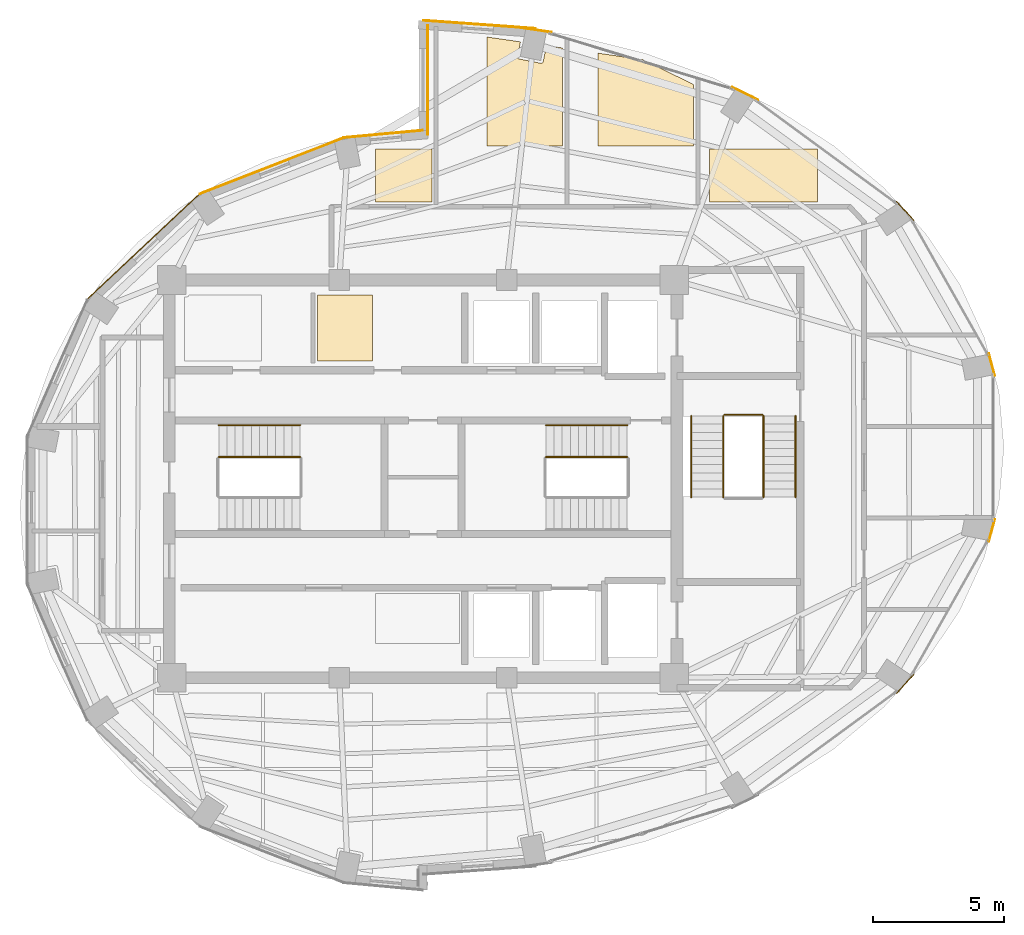
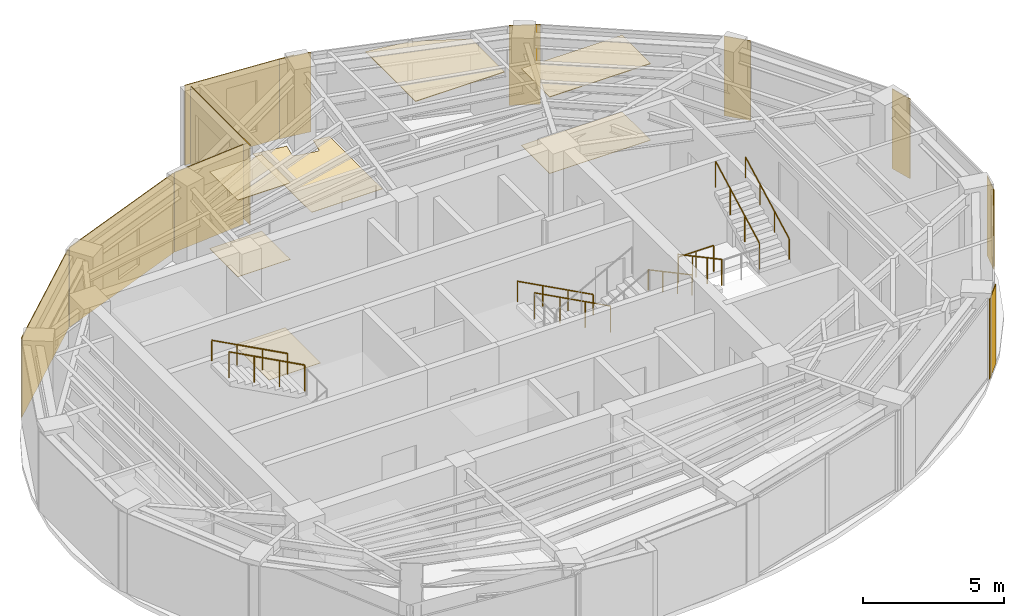
# One storey, part 13 of 13: 18 coverings, 9 railings.
"""IFC4 building model written with IfcOpenShell, lengths in metres."""

from ifc_helpers import new_model, si_unit, direction, frame, origin, origin_2d, place, context, subcontext, project, spatial, polyline, rectangle, circle, outline, extrude, material, layer, layer_set, type_object, element, save


model = new_model("IFC4")

# Units and contexts
model_context = context("Model", 3, precision=1e-05, world=origin(), true_north=direction((0.0, 1.0)))
body_context = subcontext(model_context, "Body", "Model", "MODEL_VIEW")
ifc_project = project(units=[si_unit("LENGTHUNIT", "METRE"), si_unit("AREAUNIT", "SQUARE_METRE"), si_unit("VOLUMEUNIT", "CUBIC_METRE"), si_unit("PLANEANGLEUNIT", "RADIAN"), si_unit("MASSUNIT", "GRAM", prefix="KILO")], contexts=[model_context])

# Site, building, storey
site_placement = place(None, origin())
site = spatial("IfcSite", under=ifc_project, at=site_placement, CompositionType="ELEMENT")
building_placement = place(site_placement, origin())
building = spatial("IfcBuilding", under=site, at=building_placement, Name="Lazwardi Medical Tower", CompositionType="ELEMENT")
storey_placement = place(building_placement, frame((0.0, 0.0, 273.263916015625)))
storey = spatial("IfcBuildingStorey", under=building, at=storey_placement, Name="L71", CompositionType="ELEMENT", Elevation=273.263916015625)

# Coverings
ifc_material_1 = material(Name="Anodised bronze aluminium cassette cladding", Category="aluminium")
ifc_layer_1 = layer(ifc_material_1, 0.030029296875)
ifc_layer_set_1 = layer_set([ifc_layer_1], Name="Anodised bronze aluminium cassette cladding")
covering_type_1 = type_object("IfcCoveringType", Name="COV-CLD-BRZ", PredefinedType="CLADDING", material=ifc_layer_set_1)
covering_1_placement = place(storey_placement, frame((54.42529296875, 20.165283203125, 0.0), z_axis=(0.0, 0.0, 1.0), x_axis=(0.673240970654, 0.739423150458, 0.0)))
element("IfcCovering", 1, at=covering_1_placement, inside=storey, type_object=covering_type_1, Name="L71 Mega-column bronze cassette cover M03", PredefinedType="CLADDING", context=body_context, shape_type="SweptSolid", body=[
    extrude(rectangle(XDim=0.98974609375, YDim=0.030029296875, at=origin_2d()), origin(), (0.0, 0.0, 1.0), 3.447998046875),
])
for number, where, z_axis, x_axis, name in (
    (2, (57.734130859375, 26.02734375, 0.0), (0.0, 0.0, 1.0), (0.261641748247, 0.96516506131, 0.0), "L71 Mega-column bronze cassette cover M04"),
    (3, (57.734130859375, 32.37255859375, 0.0), (0.0, 0.0, 1.0), (-0.261641748247, 0.96516506131, 0.0), "L71 Mega-column bronze cassette cover M05"),
):
    element("IfcCovering", number, at=place(storey_placement, frame(where, z_axis=z_axis, x_axis=x_axis)), inside=storey, type_object=covering_type_1, Name=name, PredefinedType="CLADDING", context=body_context, shape_type="SweptSolid", body=[
        extrude(rectangle(XDim=0.894287109375, YDim=0.030029296875, at=origin_2d()), origin(), (0.0, 0.0, 1.0), 3.447998046875),
    ])
covering_2_placement = place(storey_placement, frame((54.42529296875, 38.234619140625, 0.0), z_axis=(0.0, 0.0, 1.0), x_axis=(-0.673240970654, 0.739423150458, 0.0)))
element("IfcCovering", 4, at=covering_2_placement, inside=storey, type_object=covering_type_1, Name="L71 Mega-column bronze cassette cover M06", PredefinedType="CLADDING", context=body_context, shape_type="SweptSolid", body=[
    extrude(rectangle(XDim=0.98974609375, YDim=0.030029296875, at=origin_2d()), origin(), (0.0, 0.0, 1.0), 3.447998046875),
])
covering_3_placement = place(storey_placement, frame((48.311279296875, 42.721435546875, 0.0), z_axis=(0.0, 0.0, 1.0), x_axis=(-0.897840141691, 0.440321564278, 0.0)))
element("IfcCovering", 5, at=covering_3_placement, inside=storey, type_object=covering_type_1, Name="L71 Mega-column bronze cassette cover M07", PredefinedType="CLADDING", context=body_context, shape_type="SweptSolid", body=[
    extrude(rectangle(XDim=1.110595703125, YDim=0.030029296875, at=origin_2d()), origin(), (0.0, 0.0, 1.0), 3.447998046875),
])
covering_4_placement = place(storey_placement, frame((40.3232421875, 45.1494140625, 0.0), z_axis=(0.0, 0.0, 1.0), x_axis=(-0.989512431533, 0.144447733943, 0.0)))
element("IfcCovering", 6, at=covering_4_placement, inside=storey, type_object=covering_type_1, Name="L71 Mega-column bronze cassette cover M08", PredefinedType="CLADDING", context=body_context, shape_type="SweptSolid", body=[
    extrude(rectangle(XDim=1.188720703125, YDim=0.030029296875, at=origin_2d()), origin(), (0.0, 0.0, 1.0), 3.447998046875),
])
covering_5_placement = place(storey_placement, frame((25.31201171875, 36.870361328125, 0.0), z_axis=(0.0, 0.0, 1.0), x_axis=(-0.728254960063, -0.685306291481, 0.0)))
element("IfcCovering", 7, at=covering_5_placement, inside=storey, type_object=covering_type_1, Name="L71 West drum ceramic/bronze cladding", PredefinedType="CLADDING", context=body_context, shape_type="SweptSolid", body=[
    extrude(rectangle(XDim=5.78125, YDim=0.030029296875, at=origin_2d()), origin(), (0.0, 0.0, 1.0), 3.447998046875),
])
ifc_material_2 = material(Name="Turquoise glazed ceramic tilework cladding", Category="masonry")
ifc_layer_2 = layer(ifc_material_2, 0.034912109375)
ifc_layer_set_2 = layer_set([ifc_layer_2], Name="Turquoise glazed ceramic tilework cladding")
covering_type_2 = type_object("IfcCoveringType", Name="COV-CLD-TRQ", PredefinedType="CLADDING", material=ifc_layer_set_2)
covering_6_placement = place(storey_placement, frame((30.216064453125, 39.956787109375, 0.0), z_axis=(0.0, 0.0, 1.0), x_axis=(-0.931720388261, -0.363176428337, 0.0)))
element("IfcCovering", 8, at=covering_6_placement, inside=storey, type_object=covering_type_2, Name="L71 West drum ceramic/bronze cladding", PredefinedType="CLADDING", context=body_context, shape_type="SweptSolid", body=[
    extrude(rectangle(XDim=5.904052734375, YDim=0.034912109375, at=origin_2d()), origin(), (0.0, 0.0, 1.0), 3.447998046875),
])
covering_7_placement = place(storey_placement, frame((38.16259765625, 45.360107421875, 0.0), z_axis=(0.0, 0.0, 1.0), x_axis=(-0.997409491337, 0.071932653157, 0.0)))
element("IfcCovering", 9, at=covering_7_placement, inside=storey, type_object=covering_type_2, Name="L71 Turquoise glazed ceramic tilework cladding", PredefinedType="CLADDING", context=body_context, shape_type="SweptSolid", body=[
    extrude(rectangle(XDim=4.31103515625, YDim=0.034912109375, at=origin_2d()), origin(), (0.0, 0.0, 1.0), 3.447998046875),
])
covering_8_placement = place(storey_placement, frame((34.4970703125, 41.177001953125, 0.0), z_axis=(0.0, 0.0, 1.0), x_axis=(-0.995733560537, -0.092275004312, 0.0)))
element("IfcCovering", 10, at=covering_8_placement, inside=storey, type_object=covering_type_2, Name="L71 Turquoise glazed ceramic tilework cladding", PredefinedType="CLADDING", context=body_context, shape_type="SweptSolid", body=[
    extrude(rectangle(XDim=2.985595703125, YDim=0.034912109375, at=origin_2d()), origin(), (0.0, 0.0, 1.0), 3.447998046875),
])
covering_9_placement = place(storey_placement, frame((36.175537109375, 43.239990234375, 0.0), z_axis=(0.0, 0.0, 1.0), x_axis=(0.0, -1.0, 0.0)))
element("IfcCovering", 11, at=covering_9_placement, inside=storey, type_object=covering_type_2, Name="L71 Turquoise glazed ceramic tilework iwan panel", PredefinedType="CLADDING", context=body_context, shape_type="SweptSolid", body=[
    extrude(rectangle(XDim=4.199951171875, YDim=0.034912109375, at=origin_2d()), origin(), (0.0, 0.0, 1.0), 3.447998046875),
])
ifc_material_3 = material(Name="Acoustic mineral fibre tile")
ifc_layer_3 = layer(ifc_material_3, 0.02490234375)
ifc_layer_set_3 = layer_set([ifc_layer_3], Name="Acoustic mineral fibre tile")
covering_type_3 = type_object("IfcCoveringType", Name="COV-CLG-01", PredefinedType="CEILING", material=ifc_layer_set_3)
covering_10_placement = place(storey_placement, frame((0.0, 0.0, 3.302978515625)))
element("IfcCovering", 12, at=covering_10_placement, inside=storey, type_object=covering_type_3, Name="L71 Clinical Acoustic Ceiling 6", PredefinedType="CEILING", context=body_context, shape_type="SweptSolid", body=[
    extrude(outline(polyline([(34.19189453125, 38.574951171875), (36.3349609375, 38.574951171875), (36.3349609375, 40.596435546875), (34.19189453125, 40.596435546875), (34.19189453125, 38.574951171875)])), origin(), (0.0, 0.0, 1.0), 0.025146484375),
])
covering_11_placement = place(storey_placement, frame((0.0, 0.0, 3.302978515625)))
element("IfcCovering", 13, at=covering_11_placement, inside=storey, type_object=covering_type_3, Name="L71 Clinical Acoustic Ceiling 9", PredefinedType="CEILING", context=body_context, shape_type="SweptSolid", body=[
    extrude(outline(polyline([(46.3349609375, 40.71630859375), (46.3349609375, 43.0703125), (44.40283203125, 44.015380859375), (42.69189453125, 44.2646484375), (42.69189453125, 40.71630859375), (46.3349609375, 40.71630859375)])), origin(), (0.0, 0.0, 1.0), 0.025146484375),
])
covering_12_placement = place(storey_placement, frame((0.0, 0.0, 3.302978515625)))
element("IfcCovering", 14, at=covering_12_placement, inside=storey, type_object=covering_type_3, Name="L71 Clinical Acoustic Ceiling 10", PredefinedType="CEILING", context=body_context, shape_type="SweptSolid", body=[
    extrude(outline(polyline([(46.94189453125, 38.574951171875), (51.07177734375, 38.574951171875), (51.07177734375, 40.596435546875), (46.94189453125, 40.596435546875), (46.94189453125, 38.574951171875)])), origin(), (0.0, 0.0, 1.0), 0.025146484375),
])
ifc_material_4 = material(Name="Anti-static hospital vinyl sheet flooring")
ifc_layer_4 = layer(ifc_material_4, 0.014892578125)
ifc_layer_set_4 = layer_set([ifc_layer_4], Name="Anti-static hospital vinyl sheet flooring")
covering_type_4 = type_object("IfcCoveringType", Name="COV-FLR-01", PredefinedType="FLOORING", material=ifc_layer_set_4)
covering_13_placement = place(storey_placement, origin())
element("IfcCovering", 15, at=covering_13_placement, inside=storey, type_object=covering_type_4, Name="L71 Clinical Vinyl Flooring 4", PredefinedType="FLOORING", context=body_context, shape_type="SweptSolid", body=[
    extrude(outline(polyline([(34.07177734375, 35.02001953125), (31.9599609375, 35.02001953125), (31.9599609375, 32.5), (34.07177734375, 32.5), (34.07177734375, 35.02001953125)])), origin(), (0.0, 0.0, 1.0), 0.01513671875),
])
covering_14_placement = place(storey_placement, origin())
element("IfcCovering", 16, at=covering_14_placement, inside=storey, type_object=covering_type_4, Name="L71 Clinical Vinyl Flooring 6", PredefinedType="FLOORING", context=body_context, shape_type="SweptSolid", body=[
    extrude(outline(polyline([(34.19189453125, 38.574951171875), (36.3349609375, 38.574951171875), (36.3349609375, 40.596435546875), (34.19189453125, 40.596435546875), (34.19189453125, 38.574951171875)])), origin(), (0.0, 0.0, 1.0), 0.01513671875),
])
covering_15_placement = place(storey_placement, origin())
element("IfcCovering", 17, at=covering_15_placement, inside=storey, type_object=covering_type_4, Name="L71 Clinical Vinyl Flooring 8", PredefinedType="FLOORING", context=body_context, shape_type="SweptSolid", body=[
    extrude(outline(polyline([(41.3349609375, 40.71630859375), (41.3349609375, 44.46240234375), (40.714599609375, 44.552490234375), (40.59326171875, 43.941650390625), (40.59130859375, 43.93408203125), (40.588623046875, 43.9267578125), (40.585205078125, 43.919677734375), (40.581298828125, 43.912841796875), (40.576416015625, 43.906494140625), (40.5712890625, 43.900634765625), (40.5654296875, 43.8955078125), (40.55908203125, 43.890869140625), (40.552490234375, 43.88671875), (40.54541015625, 43.88330078125), (40.537841796875, 43.880615234375), (40.5302734375, 43.87890625), (40.5224609375, 43.877685546875), (40.5146484375, 43.877197265625), (40.5068359375, 43.877685546875), (40.4990234375, 43.87890625), (39.67529296875, 44.042724609375), (39.667724609375, 44.044677734375), (39.660400390625, 44.04736328125), (39.6533203125, 44.050537109375), (39.646484375, 44.0546875), (39.64013671875, 44.059326171875), (39.63427734375, 44.064697265625), (39.629150390625, 44.0703125), (39.62451171875, 44.076904296875), (39.620361328125, 44.08349609375), (39.616943359375, 44.090576171875), (39.6142578125, 44.097900390625), (39.6123046875, 44.105712890625), (39.611328125, 44.11328125), (39.61083984375, 44.12109375), (39.611328125, 44.12890625), (39.6123046875, 44.13671875), (39.723876953125, 44.697021484375), (38.44189453125, 44.883544921875), (38.44189453125, 40.71630859375), (41.3349609375, 40.71630859375)])), origin(), (0.0, 0.0, 1.0), 0.01513671875),
])
covering_16_placement = place(storey_placement, origin())
element("IfcCovering", 18, at=covering_16_placement, inside=storey, type_object=covering_type_4, Name="L71 Clinical Vinyl Flooring 10", PredefinedType="FLOORING", context=body_context, shape_type="SweptSolid", body=[
    extrude(outline(polyline([(46.94189453125, 38.574951171875), (51.07177734375, 38.574951171875), (51.07177734375, 40.596435546875), (46.94189453125, 40.596435546875), (46.94189453125, 38.574951171875)])), origin(), (0.0, 0.0, 1.0), 0.01513671875),
])

# Railings
ifc_material_5 = material(Name="Stainless steel Grade 316", Category="steel")
railing_type_1 = type_object("IfcRailingType", Name="RLG-GRD-1150", PredefinedType="GUARDRAIL", material=ifc_material_5)
railing_1_placement = place(storey_placement, frame((31.300048828125, 28.830078125, 1.989990234375)))
element("IfcRailing", 19, at=railing_1_placement, inside=storey, type_object=railing_type_1, Name="L71 ST1 stair guard 3", PredefinedType="GUARDRAIL", context=body_context, shape_type="SweptSolid", body=[
    extrude(circle(Radius=0.02392578125, at=origin_2d()), frame((0.0, 0.0, 1.1259765625), z_axis=(-0.881783298633, 0.0, 0.471654761719), x_axis=(0.0, -1.0, 0.0)), (0.0, 0.0, 1.0), 3.515625),
    extrude(circle(Radius=0.02099609375, at=origin_2d()), origin(), (0.0, 0.0, 1.0), 1.099853515625),
    extrude(circle(Radius=0.02099609375, at=origin_2d()), frame((-1.033447265625, 0.0, 0.552734375)), (0.0, 0.0, 1.0), 1.099853515625),
    extrude(circle(Radius=0.02099609375, at=origin_2d()), frame((-2.066650390625, 0.0, 1.10546875)), (0.0, 0.0, 1.0), 1.099853515625),
    extrude(circle(Radius=0.02099609375, at=origin_2d()), frame((-3.10009765625, 0.0, 1.658203125)), (0.0, 0.0, 1.0), 1.099853515625),
])
railing_2_placement = place(storey_placement, frame((43.800048828125, 28.830078125, 0.166015625)))
element("IfcRailing", 20, at=railing_2_placement, inside=storey, type_object=railing_type_1, Name="L71 ST2 stair guard 1", PredefinedType="GUARDRAIL", context=body_context, shape_type="SweptSolid", body=[
    extrude(circle(Radius=0.02392578125, at=origin_2d()), frame((0.0, 0.0, 1.1259765625), z_axis=(-0.881812178953, 0.0, 0.471600764472), x_axis=(0.0, -1.0, 0.0)), (0.0, 0.0, 1.0), 3.515625),
    extrude(circle(Radius=0.02099609375, at=origin_2d()), origin(), (0.0, 0.0, 1.0), 1.099853515625),
    extrude(circle(Radius=0.02099609375, at=origin_2d()), frame((-1.033447265625, 0.0, 0.552734375)), (0.0, 0.0, 1.0), 1.099853515625),
    extrude(circle(Radius=0.02099609375, at=origin_2d()), frame((-2.066650390625, 0.0, 1.105224609375)), (0.0, 0.0, 1.0), 1.099853515625),
    extrude(circle(Radius=0.02099609375, at=origin_2d()), frame((-3.10009765625, 0.0, 1.657958984375)), (0.0, 0.0, 1.0), 1.099853515625),
])
railing_3_placement = place(storey_placement, frame((47.469970703125, 30.39990234375, 0.166015625)))
element("IfcRailing", 21, at=railing_3_placement, inside=storey, type_object=railing_type_1, Name="L71 ST3 stair guard 1", PredefinedType="GUARDRAIL", context=body_context, shape_type="SweptSolid", body=[
    extrude(circle(Radius=0.02392578125, at=origin_2d()), frame((0.0, 0.0, 1.1259765625), z_axis=(0.0, -0.881796732468, 0.4716296456), x_axis=(1.0, 0.0, 0.0)), (0.0, 0.0, 1.0), 3.515380859375),
    extrude(circle(Radius=0.02099609375, at=origin_2d()), origin(), (0.0, 0.0, 1.0), 1.099853515625),
    extrude(circle(Radius=0.02099609375, at=origin_2d()), frame((0.0, -1.033203125, 0.552734375)), (0.0, 0.0, 1.0), 1.099853515625),
    extrude(circle(Radius=0.02099609375, at=origin_2d()), frame((0.0, -2.066650390625, 1.105224609375)), (0.0, 0.0, 1.0), 1.099853515625),
    extrude(circle(Radius=0.02099609375, at=origin_2d()), frame((0.0, -3.099853515625, 1.657958984375)), (0.0, 0.0, 1.0), 1.099853515625),
])
railing_4_placement = place(storey_placement, frame((49.010009765625, 27.300048828125, 1.989990234375)))
element("IfcRailing", 22, at=railing_4_placement, inside=storey, type_object=railing_type_1, Name="L71 ST3 stair guard 3", PredefinedType="GUARDRAIL", context=body_context, shape_type="SweptSolid", body=[
    extrude(circle(Radius=0.02392578125, at=origin_2d()), frame((0.0, 0.0, 1.1259765625), z_axis=(0.0, 0.881767849116, 0.471683644262), x_axis=(-1.0, 0.0, 0.0)), (0.0, 0.0, 1.0), 3.515380859375),
    extrude(circle(Radius=0.02099609375, at=origin_2d()), origin(), (0.0, 0.0, 1.0), 1.099853515625),
    extrude(circle(Radius=0.02099609375, at=origin_2d()), frame((0.0, 1.033203125, 0.552734375)), (0.0, 0.0, 1.0), 1.099853515625),
    extrude(circle(Radius=0.02099609375, at=origin_2d()), frame((0.0, 2.066650390625, 1.10546875)), (0.0, 0.0, 1.0), 1.099853515625),
    extrude(circle(Radius=0.02099609375, at=origin_2d()), frame((0.0, 3.099853515625, 1.658203125)), (0.0, 0.0, 1.0), 1.099853515625),
])
railing_5_placement = place(storey_placement, frame((47.52001953125, 30.449951171875, 0.0)))
element("IfcRailing", 23, at=railing_5_placement, inside=storey, type_object=railing_type_1, Name="L71 ST3 stair guard 4", PredefinedType="GUARDRAIL", context=body_context, shape_type="SweptSolid", body=[
    extrude(circle(Radius=0.02392578125, at=origin_2d()), frame((0.0, 0.0, 1.1259765625), z_axis=(1.0, 0.0, 0.0), x_axis=(0.0, 1.0, 0.0)), (0.0, 0.0, 1.0), 1.43994140625),
    extrude(circle(Radius=0.02099609375, at=origin_2d()), origin(), (0.0, 0.0, 1.0), 1.099853515625),
    extrude(circle(Radius=0.02099609375, at=origin_2d()), frame((0.719970703125, 0.0, 0.0)), (0.0, 0.0, 1.0), 1.099853515625),
    extrude(circle(Radius=0.02099609375, at=origin_2d()), frame((1.43994140625, 0.0, 0.0)), (0.0, 0.0, 1.0), 1.099853515625),
])
railing_type_2 = type_object("IfcRailingType", Name="RLG-HND-920", PredefinedType="HANDRAIL", material=ifc_material_5)
railing_6_placement = place(storey_placement, frame((31.300048828125, 30.050048828125, 1.989990234375)))
element("IfcRailing", 24, at=railing_6_placement, inside=storey, type_object=railing_type_2, Name="L71 ST1 stair handrail 2", PredefinedType="HANDRAIL", context=body_context, shape_type="SweptSolid", body=[
    extrude(circle(Radius=0.02392578125, at=origin_2d()), frame((0.0, 0.0, 0.8857421875), z_axis=(-0.881783298633, 0.0, 0.471654761719), x_axis=(0.0, -1.0, 0.0)), (0.0, 0.0, 1.0), 3.515625),
    extrude(circle(Radius=0.02099609375, at=origin_2d()), origin(), (0.0, 0.0, 1.0), 0.85986328125),
    extrude(circle(Radius=0.02099609375, at=origin_2d()), frame((-1.033447265625, 0.0, 0.552734375)), (0.0, 0.0, 1.0), 0.85986328125),
    extrude(circle(Radius=0.02099609375, at=origin_2d()), frame((-2.066650390625, 0.0, 1.10546875)), (0.0, 0.0, 1.0), 0.85986328125),
    extrude(circle(Radius=0.02099609375, at=origin_2d()), frame((-3.10009765625, 0.0, 1.658203125)), (0.0, 0.0, 1.0), 0.85986328125),
])
railing_7_placement = place(storey_placement, frame((43.800048828125, 30.050048828125, 0.166015625)))
element("IfcRailing", 25, at=railing_7_placement, inside=storey, type_object=railing_type_2, Name="L71 ST2 stair handrail 1", PredefinedType="HANDRAIL", context=body_context, shape_type="SweptSolid", body=[
    extrude(circle(Radius=0.02392578125, at=origin_2d()), frame((0.0, 0.0, 0.8857421875), z_axis=(-0.881812178953, 0.0, 0.471600764472), x_axis=(0.0, -1.0, 0.0)), (0.0, 0.0, 1.0), 3.515625),
    extrude(circle(Radius=0.02099609375, at=origin_2d()), origin(), (0.0, 0.0, 1.0), 0.85986328125),
    extrude(circle(Radius=0.02099609375, at=origin_2d()), frame((-1.033447265625, 0.0, 0.552734375)), (0.0, 0.0, 1.0), 0.85986328125),
    extrude(circle(Radius=0.02099609375, at=origin_2d()), frame((-2.066650390625, 0.0, 1.105224609375)), (0.0, 0.0, 1.0), 0.85986328125),
    extrude(circle(Radius=0.02099609375, at=origin_2d()), frame((-3.10009765625, 0.0, 1.657958984375)), (0.0, 0.0, 1.0), 0.85986328125),
])
railing_8_placement = place(storey_placement, frame((46.25, 30.39990234375, 0.166015625)))
element("IfcRailing", 26, at=railing_8_placement, inside=storey, type_object=railing_type_2, Name="L71 ST3 stair handrail 1", PredefinedType="HANDRAIL", context=body_context, shape_type="SweptSolid", body=[
    extrude(circle(Radius=0.02392578125, at=origin_2d()), frame((0.0, 0.0, 0.8857421875), z_axis=(0.0, -0.881796732468, 0.4716296456), x_axis=(1.0, 0.0, 0.0)), (0.0, 0.0, 1.0), 3.515380859375),
    extrude(circle(Radius=0.02099609375, at=origin_2d()), origin(), (0.0, 0.0, 1.0), 0.85986328125),
    extrude(circle(Radius=0.02099609375, at=origin_2d()), frame((0.0, -1.033203125, 0.552734375)), (0.0, 0.0, 1.0), 0.85986328125),
    extrude(circle(Radius=0.02099609375, at=origin_2d()), frame((0.0, -2.066650390625, 1.105224609375)), (0.0, 0.0, 1.0), 0.85986328125),
    extrude(circle(Radius=0.02099609375, at=origin_2d()), frame((0.0, -3.099853515625, 1.657958984375)), (0.0, 0.0, 1.0), 0.85986328125),
])
railing_9_placement = place(storey_placement, frame((50.22998046875, 27.300048828125, 1.989990234375)))
element("IfcRailing", 27, at=railing_9_placement, inside=storey, type_object=railing_type_2, Name="L71 ST3 stair handrail 2", PredefinedType="HANDRAIL", context=body_context, shape_type="SweptSolid", body=[
    extrude(circle(Radius=0.02392578125, at=origin_2d()), frame((0.0, 0.0, 0.8857421875), z_axis=(0.0, 0.881767849116, 0.471683644262), x_axis=(-1.0, 0.0, 0.0)), (0.0, 0.0, 1.0), 3.515380859375),
    extrude(circle(Radius=0.02099609375, at=origin_2d()), origin(), (0.0, 0.0, 1.0), 0.85986328125),
    extrude(circle(Radius=0.02099609375, at=origin_2d()), frame((0.0, 1.033203125, 0.552734375)), (0.0, 0.0, 1.0), 0.85986328125),
    extrude(circle(Radius=0.02099609375, at=origin_2d()), frame((0.0, 2.066650390625, 1.10546875)), (0.0, 0.0, 1.0), 0.85986328125),
    extrude(circle(Radius=0.02099609375, at=origin_2d()), frame((0.0, 3.099853515625, 1.658203125)), (0.0, 0.0, 1.0), 0.85986328125),
])

save(model, "model.ifc")
